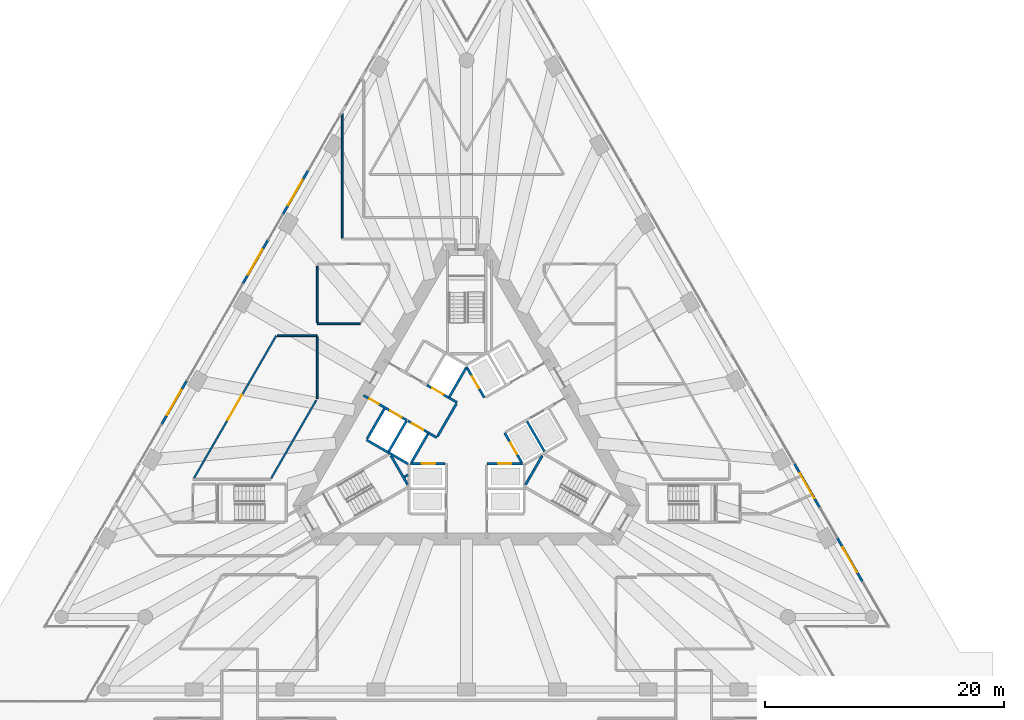
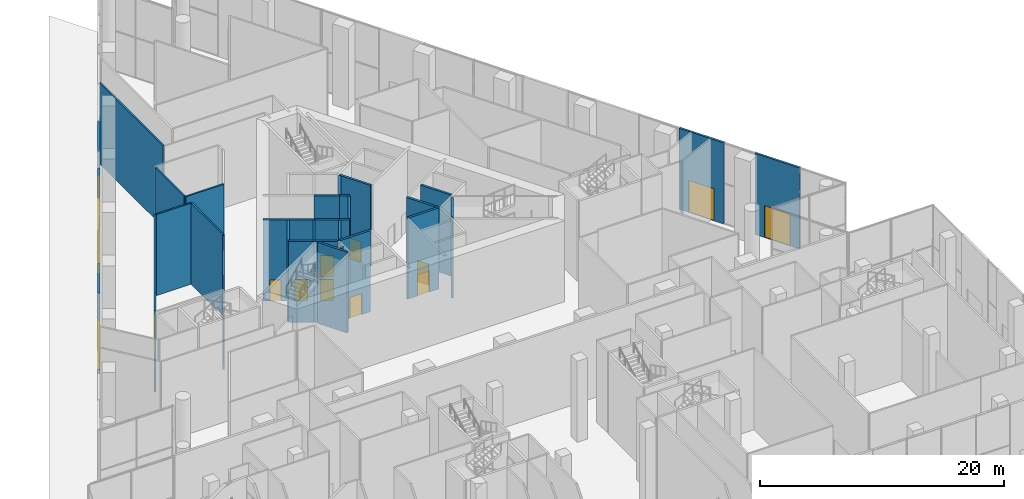
# One storey, part 25 of 41: 32 walls, 14 doors, 14 openings.
"""IFC4 building model written with IfcOpenShell, lengths in metres."""

from ifc_helpers import new_model, si_unit, direction, frame, frame_2d, origin, place, context, subcontext, project, spatial, rectangle, extrude, material, layer, layer_set, layer_usage, type_object, element, fill, save


model = new_model("IFC4")

# Units and contexts
model_context = context("Model", 3, precision=1e-05, world=origin(), true_north=direction((0.0, 1.0)))
body_context = subcontext(model_context, "Body", "Model", "MODEL_VIEW")
ifc_project = project(units=[si_unit("LENGTHUNIT", "METRE"), si_unit("AREAUNIT", "SQUARE_METRE"), si_unit("VOLUMEUNIT", "CUBIC_METRE"), si_unit("PLANEANGLEUNIT", "RADIAN"), si_unit("MASSUNIT", "GRAM", prefix="KILO")], contexts=[model_context])

# Site, building, storey
site_placement = place(None, origin())
site = spatial("IfcSite", under=ifc_project, at=site_placement, CompositionType="ELEMENT")
building_placement = place(site_placement, origin())
building = spatial("IfcBuilding", under=site, at=building_placement, Name="Triada Interchange Tower", CompositionType="ELEMENT")
storey_placement = place(building_placement, origin())
storey = spatial("IfcBuildingStorey", under=building, at=storey_placement, Name="L00", CompositionType="ELEMENT", Elevation=0.0)

# Walls
ifc_material_1 = material(Name="Concrete C30/37", Category="concrete")
ifc_layer_1 = layer(ifc_material_1, 0.199951171875)
ifc_layer_set_1 = layer_set([ifc_layer_1], Name="CORE WALL 200 EI 120")
wall_type_1 = type_object("IfcWallType", Name="CORE WALL 200 EI 120", PredefinedType="SOLIDWALL", material=ifc_layer_set_1)
wall_1_placement = place(storey_placement, frame((-8.3759765625, -0.70703125, 0.0), z_axis=(0.0, 0.0, 1.0), x_axis=(0.866067520717, -0.499927044236, 0.0)))
element("IfcWall", 1, at=wall_1_placement, inside=storey, type_object=wall_type_1, Name="Wall L00 145", PredefinedType="SOLIDWALL", context=body_context, shape_type="SweptSolid", body=[
    extrude(rectangle(XDim=2.100341796875, YDim=0.199951171875, at=frame_2d((1.05029296875, 0.0))), origin(), (0.0, 0.0, 1.0), 8.10009765625),
])
wall_2_placement = place(storey_placement, frame((-8.325927734375, -0.6201171875, 0.0), z_axis=(0.0, 0.0, 1.0), x_axis=(0.500023687443, 0.866011727401, 0.0)))
element("IfcWall", 2, at=wall_2_placement, inside=storey, type_object=wall_type_1, Name="Wall L00 146", PredefinedType="SOLIDWALL", context=body_context, shape_type="SweptSolid", body=[
    extrude(rectangle(XDim=2.899658203125, YDim=0.199951171875, at=frame_2d((1.44970703125, 0.0))), origin(), (0.0, 0.0, 1.0), 8.10009765625),
])

# Wall, opening, door
wall_3_placement = place(storey_placement, frame((-4.676025390625, -2.699951171875, 0.0), z_axis=(0.0, 0.0, 1.0), x_axis=(1.0, 0.0, 0.0)))
wall_3 = element("IfcWall", 3, at=wall_3_placement, inside=storey, type_object=wall_type_1, Name="Wall L00 153", PredefinedType="SOLIDWALL", context=body_context, shape_type="SweptSolid", body=[
    extrude(rectangle(XDim=2.873046875, YDim=0.199951171875, at=frame_2d((1.4365234375, 0.0))), origin(), (0.0, 0.0, 1.0), 8.10009765625),
])
opening_1_placement = place(wall_3_placement, frame((0.93701171875, 0.0, 0.0)))
opening_1 = element("IfcOpeningElement", 4, at=opening_1_placement, cuts=wall_3, Name="Opening LD-LR3", PredefinedType="OPENING", context=body_context, shape_type="SweptSolid", body=[
    extrude(rectangle(XDim=1.10009765625, YDim=2.10009765625, at=frame_2d((0.550048828125, 1.050048828125))), frame((0.0, 0.10986328125, 0.0), z_axis=(0.0, -1.0, 0.0), x_axis=(1.0, 0.0, 0.0)), (0.0, 0.0, 1.0), 0.219970703125),
])
ifc_material_2 = material(Name="Steel S235 door leaf", Category="steel")
door_type_1 = type_object("IfcDoorType", Name="LIFT LANDING DOOR 1100 EI 120", OperationType="SLIDING_TO_LEFT", PredefinedType="DOOR", material=ifc_material_2)
door_1_placement = place(opening_1_placement, origin())
door_1 = element("IfcDoor", 5, at=door_1_placement, inside=storey, type_object=door_type_1, Name="LR3 landing door L00", OperationType="SLIDING_TO_LEFT", OverallHeight=2.10009765625, OverallWidth=1.10009765625, PredefinedType="DOOR", context=body_context, shape_type="SweptSolid", body=[
    extrude(rectangle(XDim=1.10009765625, YDim=2.10009765625, at=frame_2d((0.550048828125, 1.050048828125))), frame((0.0, 0.02490234375, 0.0), z_axis=(0.0, -1.0, 0.0), x_axis=(1.0, 0.0, 0.0)), (0.0, 0.0, 1.0), 0.050048828125),
])
fill(opening_1, door_1)

wall_4_placement = place(storey_placement, frame((1.702880859375, -2.699951171875, 0.0), z_axis=(0.0, 0.0, 1.0), x_axis=(1.0, 0.0, 0.0)))
wall_4 = element("IfcWall", 6, at=wall_4_placement, inside=storey, type_object=wall_type_1, Name="Wall L00 154", PredefinedType="SOLIDWALL", context=body_context, shape_type="SweptSolid", body=[
    extrude(rectangle(XDim=2.97314453125, YDim=0.199951171875, at=frame_2d((1.486572265625, 0.0))), origin(), (0.0, 0.0, 1.0), 8.10009765625),
])
opening_2_placement = place(wall_4_placement, frame((0.93603515625, 0.0, 0.0)))
opening_2 = element("IfcOpeningElement", 7, at=opening_2_placement, cuts=wall_4, Name="Opening LD-LR1", PredefinedType="OPENING", context=body_context, shape_type="SweptSolid", body=[
    extrude(rectangle(XDim=1.10009765625, YDim=2.10009765625, at=frame_2d((0.550048828125, 1.050048828125))), frame((0.0, 0.10986328125, 0.0), z_axis=(0.0, -1.0, 0.0), x_axis=(1.0, 0.0, 0.0)), (0.0, 0.0, 1.0), 0.219970703125),
])
door_2_placement = place(opening_2_placement, origin())
door_2 = element("IfcDoor", 8, at=door_2_placement, inside=storey, type_object=door_type_1, Name="LR1 landing door L00", OperationType="SLIDING_TO_LEFT", OverallHeight=2.10009765625, OverallWidth=1.10009765625, PredefinedType="DOOR", context=body_context, shape_type="SweptSolid", body=[
    extrude(rectangle(XDim=1.10009765625, YDim=2.10009765625, at=frame_2d((0.550048828125, 1.050048828125))), frame((0.0, 0.02490234375, 0.0), z_axis=(0.0, -1.0, 0.0), x_axis=(1.0, 0.0, 0.0)), (0.0, 0.0, 1.0), 0.050048828125),
])
fill(opening_2, door_2)

wall_5_placement = place(storey_placement, frame((0.0, 5.39990234375, 0.0), z_axis=(0.0, 0.0, 1.0), x_axis=(0.500103862429, -0.865965430478, 0.0)))
wall_5 = element("IfcWall", 9, at=wall_5_placement, inside=storey, type_object=wall_type_1, Name="Wall L00 156", PredefinedType="SOLIDWALL", context=body_context, shape_type="SweptSolid", body=[
    extrude(rectangle(XDim=2.973388671875, YDim=0.199951171875, at=frame_2d((1.48681640625, 0.0))), origin(), (0.0, 0.0, 1.0), 8.10009765625),
])
opening_3_placement = place(wall_5_placement, frame((0.93701171875, 0.0, 0.0)))
opening_3 = element("IfcOpeningElement", 10, at=opening_3_placement, cuts=wall_5, Name="Opening LD-LR5", PredefinedType="OPENING", context=body_context, shape_type="SweptSolid", body=[
    extrude(rectangle(XDim=1.10009765625, YDim=2.10009765625, at=frame_2d((0.550048828125, 1.050048828125))), frame((0.0, 0.10986328125, 0.0), z_axis=(0.0, -1.0, 0.0), x_axis=(1.0, 0.0, 0.0)), (0.0, 0.0, 1.0), 0.219970703125),
])
door_3_placement = place(opening_3_placement, origin())
door_3 = element("IfcDoor", 11, at=door_3_placement, inside=storey, type_object=door_type_1, Name="LR5 landing door L00", OperationType="SLIDING_TO_LEFT", OverallHeight=2.10009765625, OverallWidth=1.10009765625, PredefinedType="DOOR", context=body_context, shape_type="SweptSolid", body=[
    extrude(rectangle(XDim=1.10009765625, YDim=2.10009765625, at=frame_2d((0.550048828125, 1.050048828125))), frame((0.0, 0.02490234375, 0.0), z_axis=(0.0, -1.0, 0.0), x_axis=(1.0, 0.0, 0.0)), (0.0, 0.0, 1.0), 0.050048828125),
])
fill(opening_3, door_3)

wall_6_placement = place(storey_placement, frame((3.18994140625, -0.125, 0.0), z_axis=(0.0, 0.0, 1.0), x_axis=(0.499988658015, -0.866031951983, 0.0)))
wall_6 = element("IfcWall", 12, at=wall_6_placement, inside=storey, type_object=wall_type_1, Name="Wall L00 157", PredefinedType="SOLIDWALL", context=body_context, shape_type="SweptSolid", body=[
    extrude(rectangle(XDim=2.85791015625, YDim=0.199951171875, at=frame_2d((1.428955078125, 0.0))), origin(), (0.0, 0.0, 1.0), 8.10009765625),
])
opening_4_placement = place(wall_6_placement, frame((0.93603515625, 0.0, 0.0)))
opening_4 = element("IfcOpeningElement", 13, at=opening_4_placement, cuts=wall_6, Name="Opening LD-SH1", PredefinedType="OPENING", context=body_context, shape_type="SweptSolid", body=[
    extrude(rectangle(XDim=1.10009765625, YDim=2.10009765625, at=frame_2d((0.550048828125, 1.050048828125))), frame((0.0, 0.10986328125, 0.0), z_axis=(0.0, -1.0, 0.0), x_axis=(1.0, 0.0, 0.0)), (0.0, 0.0, 1.0), 0.219970703125),
])
door_4_placement = place(opening_4_placement, origin())
door_4 = element("IfcDoor", 14, at=door_4_placement, inside=storey, type_object=door_type_1, Name="SH1 landing door L00", OperationType="SLIDING_TO_LEFT", OverallHeight=2.10009765625, OverallWidth=1.10009765625, PredefinedType="DOOR", context=body_context, shape_type="SweptSolid", body=[
    extrude(rectangle(XDim=1.10009765625, YDim=2.10009765625, at=frame_2d((0.550048828125, 1.050048828125))), frame((0.0, 0.02490234375, 0.0), z_axis=(0.0, -1.0, 0.0), x_axis=(1.0, 0.0, 0.0)), (0.0, 0.0, 1.0), 0.050048828125),
])
fill(opening_4, door_4)

# Wall
wall_7_placement = place(storey_placement, frame((5.056884765625, 0.841064453125, 0.0), z_axis=(0.0, 0.0, 1.0), x_axis=(0.50012328804, -0.865954211699, 0.0)))
element("IfcWall", 15, at=wall_7_placement, inside=storey, type_object=wall_type_1, Name="Wall L00 162", PredefinedType="SOLIDWALL", context=body_context, shape_type="SweptSolid", body=[
    extrude(rectangle(XDim=2.899658203125, YDim=0.199951171875, at=frame_2d((1.44970703125, 0.0))), origin(), (0.0, 0.0, 1.0), 8.10009765625),
])

# Wall, openings, doors
ifc_layer_2 = layer(ifc_material_1, 0.199951171875)
ifc_layer_set_2 = layer_set([ifc_layer_2], Name="CORE WALL 200 EI 180")
wall_type_2 = type_object("IfcWallType", Name="CORE WALL 200 EI 180", PredefinedType="SOLIDWALL", material=ifc_layer_set_2)
wall_8_placement = place(storey_placement, frame((-8.626953125, 3.01806640625, 0.0), z_axis=(0.0, 0.0, 1.0), x_axis=(0.866039775641, -0.499975106388, 0.0)))
wall_8 = element("IfcWall", 16, at=wall_8_placement, inside=storey, type_object=wall_type_2, Name="Wall L00 167", PredefinedType="SOLIDWALL", context=body_context, shape_type="SweptSolid", body=[
    extrude(rectangle(XDim=4.182373046875, YDim=0.199951171875, at=frame_2d((2.09130859375, 0.0))), origin(), (0.0, 0.0, 1.0), 8.10009765625),
])
opening_5_placement = place(wall_8_placement, frame((2.580078125, 0.0, 0.0)))
opening_5 = element("IfcOpeningElement", 17, at=opening_5_placement, cuts=wall_8, Name="Opening LD-SV1", PredefinedType="OPENING", context=body_context, shape_type="SweptSolid", body=[
    extrude(rectangle(XDim=1.10009765625, YDim=2.10009765625, at=frame_2d((0.550048828125, 1.050048828125))), frame((0.0, 0.10986328125, 0.0), z_axis=(0.0, -1.0, 0.0), x_axis=(1.0, 0.0, 0.0)), (0.0, 0.0, 1.0), 0.219970703125),
])
opening_6_placement = place(wall_8_placement, frame((0.580078125, 0.0, 0.0)))
opening_6 = element("IfcOpeningElement", 18, at=opening_6_placement, cuts=wall_8, Name="Opening D00-57", PredefinedType="OPENING", context=body_context, shape_type="SweptSolid", body=[
    extrude(rectangle(XDim=0.89990234375, YDim=2.10009765625, at=frame_2d((0.449951171875, 1.050048828125))), frame((0.0, 0.10986328125, 0.0), z_axis=(0.0, -1.0, 0.0), x_axis=(1.0, 0.0, 0.0)), (0.0, 0.0, 1.0), 0.219970703125),
])
door_5_placement = place(opening_5_placement, origin())
door_5 = element("IfcDoor", 19, at=door_5_placement, inside=storey, type_object=door_type_1, Name="SV1 landing door L00", OperationType="SLIDING_TO_LEFT", OverallHeight=2.10009765625, OverallWidth=1.10009765625, PredefinedType="DOOR", context=body_context, shape_type="SweptSolid", body=[
    extrude(rectangle(XDim=1.10009765625, YDim=2.10009765625, at=frame_2d((0.550048828125, 1.050048828125))), frame((0.0, 0.02490234375, 0.0), z_axis=(0.0, -1.0, 0.0), x_axis=(1.0, 0.0, 0.0)), (0.0, 0.0, 1.0), 0.050048828125),
])
fill(opening_5, door_5)
door_type_2 = type_object("IfcDoorType", Name="SERVICE DOOR 900 EI2 45-C5S200", OperationType="NOTDEFINED", PredefinedType="DOOR", material=ifc_material_2)
door_6_placement = place(opening_6_placement, origin())
door_6 = element("IfcDoor", 20, at=door_6_placement, inside=storey, type_object=door_type_2, Name="Door D00-57 L00", OperationType="SINGLE_SWING_LEFT", OverallHeight=2.10009765625, OverallWidth=0.89990234375, PredefinedType="DOOR", context=body_context, shape_type="SweptSolid", body=[
    extrude(rectangle(XDim=0.89990234375, YDim=2.10009765625, at=frame_2d((0.449951171875, 1.050048828125))), frame((0.0, 0.02490234375, 0.0), z_axis=(0.0, -1.0, 0.0), x_axis=(1.0, 0.0, 0.0)), (0.0, 0.0, 1.0), 0.050048828125),
])
fill(opening_6, door_6)

# Walls
wall_9_placement = place(storey_placement, frame((-3.18798828125, -0.1220703125, 0.0), z_axis=(0.0, 0.0, 1.0), x_axis=(0.865705793592, -0.50055317294, 0.0)))
element("IfcWall", 21, at=wall_9_placement, inside=storey, type_object=wall_type_2, Name="Wall L00 168", PredefinedType="SOLIDWALL", context=body_context, shape_type="SweptSolid", body=[
    extrude(rectangle(XDim=0.796875, YDim=0.199951171875, at=frame_2d((0.3984375, 0.0))), origin(), (0.0, 0.0, 1.0), 8.10009765625),
])
wall_10_placement = place(storey_placement, frame((-1.488037109375, 2.822021484375, 0.0), z_axis=(0.0, 0.0, 1.0), x_axis=(0.866236612152, -0.499633997809, 0.0)))
element("IfcWall", 22, at=wall_10_placement, inside=storey, type_object=wall_type_2, Name="Wall L00 170", PredefinedType="SOLIDWALL", context=body_context, shape_type="SweptSolid", body=[
    extrude(rectangle(XDim=0.79638671875, YDim=0.199951171875, at=frame_2d((0.398193359375, 0.0))), origin(), (0.0, 0.0, 1.0), 8.10009765625),
])
wall_11_placement = place(storey_placement, frame((-2.444091796875, -0.43310546875, 0.0), z_axis=(0.0, 0.0, 1.0), x_axis=(0.500035624827, 0.866004834804, 0.0)))
element("IfcWall", 23, at=wall_11_placement, inside=storey, type_object=wall_type_2, Name="Wall L00 173", PredefinedType="SOLIDWALL", context=body_context, shape_type="SweptSolid", body=[
    extrude(rectangle(XDim=3.194091796875, YDim=0.199951171875, at=frame_2d((1.59716796875, 0.0))), origin(), (0.0, 0.0, 1.0), 8.10009765625),
])
wall_12_placement = place(storey_placement, frame((-6.556884765625, -1.757080078125, 0.0), z_axis=(0.0, 0.0, 1.0), x_axis=(0.8659754619, -0.500086491905, 0.0)))
element("IfcWall", 24, at=wall_12_placement, inside=storey, type_object=wall_type_2, Name="Shaft wall FF1 L00 174", PredefinedType="SOLIDWALL", context=body_context, shape_type="SweptSolid", body=[
    extrude(rectangle(XDim=1.915771484375, YDim=0.199951171875, at=frame_2d((0.9580078125, 0.0))), origin(), (0.0, 0.0, 1.0), 8.10009765625),
])
wall_13_placement = place(storey_placement, frame((-6.507080078125, -1.669921875, 0.0), z_axis=(0.0, 0.0, 1.0), x_axis=(0.50012328804, 0.865954211699, 0.0)))
element("IfcWall", 25, at=wall_13_placement, inside=storey, type_object=wall_type_2, Name="Shaft wall FF1 L00 175", PredefinedType="SOLIDWALL", context=body_context, shape_type="SweptSolid", body=[
    extrude(rectangle(XDim=2.899658203125, YDim=0.199951171875, at=frame_2d((1.44970703125, 0.0))), origin(), (0.0, 0.0, 1.0), 8.10009765625),
])

# Wall, opening, door
wall_14_placement = place(storey_placement, frame((-4.919921875, 0.8779296875, 0.0), z_axis=(0.0, 0.0, 1.0), x_axis=(0.866010750942, -0.50002537861, 0.0)))
wall_14 = element("IfcWall", 26, at=wall_14_placement, inside=storey, type_object=wall_type_2, Name="Shaft wall FF1 L00 176", PredefinedType="SOLIDWALL", context=body_context, shape_type="SweptSolid", body=[
    extrude(rectangle(XDim=2.0, YDim=0.199951171875, at=frame_2d((1.0, 0.0))), origin(), (0.0, 0.0, 1.0), 8.10009765625),
])
opening_7_placement = place(wall_14_placement, frame((0.39990234375, 0.0, 0.0)))
opening_7 = element("IfcOpeningElement", 27, at=opening_7_placement, cuts=wall_14, Name="Opening LD-FF1", PredefinedType="OPENING", context=body_context, shape_type="SweptSolid", body=[
    extrude(rectangle(XDim=1.10009765625, YDim=2.10009765625, at=frame_2d((0.550048828125, 1.050048828125))), frame((0.0, 0.10986328125, 0.0), z_axis=(0.0, -1.0, 0.0), x_axis=(1.0, 0.0, 0.0)), (0.0, 0.0, 1.0), 0.219970703125),
])
door_7_placement = place(opening_7_placement, origin())
door_7 = element("IfcDoor", 28, at=door_7_placement, inside=storey, type_object=door_type_1, Name="FF1 landing door L00", OperationType="SLIDING_TO_LEFT", OverallHeight=2.10009765625, OverallWidth=1.10009765625, PredefinedType="DOOR", context=body_context, shape_type="SweptSolid", body=[
    extrude(rectangle(XDim=1.10009765625, YDim=2.10009765625, at=frame_2d((0.550048828125, 1.050048828125))), frame((0.0, 0.02490234375, 0.0), z_axis=(0.0, -1.0, 0.0), x_axis=(1.0, 0.0, 0.0)), (0.0, 0.0, 1.0), 0.050048828125),
])
fill(opening_7, door_7)

# Wall
wall_15_placement = place(storey_placement, frame((-4.618896484375, -2.60009765625, 0.0), z_axis=(0.0, 0.0, 1.0), x_axis=(0.50009492287, 0.865970593103, 0.0)))
element("IfcWall", 29, at=wall_15_placement, inside=storey, type_object=wall_type_2, Name="Shaft wall FF1 L00 177", PredefinedType="SOLIDWALL", context=body_context, shape_type="SweptSolid", body=[
    extrude(rectangle(XDim=2.76123046875, YDim=0.199951171875, at=frame_2d((1.380615234375, 0.0))), origin(), (0.0, 0.0, 1.0), 8.10009765625),
])

# Wall, opening, door
wall_16_placement = place(storey_placement, frame((-3.30908203125, 3.873046875, 0.0), z_axis=(0.0, 0.0, 1.0), x_axis=(0.866098583652, -0.499873227325, 0.0)))
wall_16 = element("IfcWall", 30, at=wall_16_placement, inside=storey, type_object=wall_type_2, Name="Shaft wall FF2 L00 178", PredefinedType="SOLIDWALL", context=body_context, shape_type="SweptSolid", body=[
    extrude(rectangle(XDim=2.1025390625, YDim=0.199951171875, at=frame_2d((1.05126953125, 0.0))), origin(), (0.0, 0.0, 1.0), 8.10009765625),
])
opening_8_placement = place(wall_16_placement, frame((0.501953125, 0.0, 0.0)))
opening_8 = element("IfcOpeningElement", 31, at=opening_8_placement, cuts=wall_16, Name="Opening LD-FF2", PredefinedType="OPENING", context=body_context, shape_type="SweptSolid", body=[
    extrude(rectangle(XDim=1.10009765625, YDim=2.10009765625, at=frame_2d((0.550048828125, 1.050048828125))), frame((0.0, 0.10986328125, 0.0), z_axis=(0.0, -1.0, 0.0), x_axis=(1.0, 0.0, 0.0)), (0.0, 0.0, 1.0), 0.219970703125),
])
door_8_placement = place(opening_8_placement, origin())
door_8 = element("IfcDoor", 32, at=door_8_placement, inside=storey, type_object=door_type_1, Name="FF2 landing door L00", OperationType="SLIDING_TO_LEFT", OverallHeight=2.10009765625, OverallWidth=1.10009765625, PredefinedType="DOOR", context=body_context, shape_type="SweptSolid", body=[
    extrude(rectangle(XDim=1.10009765625, YDim=2.10009765625, at=frame_2d((0.550048828125, 1.050048828125))), frame((0.0, 0.02490234375, 0.0), z_axis=(0.0, -1.0, 0.0), x_axis=(1.0, 0.0, 0.0)), (0.0, 0.0, 1.0), 0.050048828125),
])
fill(opening_8, door_8)

# Walls
wall_17_placement = place(storey_placement, frame((-1.43798828125, 2.908935546875, 0.0), z_axis=(0.0, 0.0, 1.0), x_axis=(0.499829630636, 0.866123744241, 0.0)))
element("IfcWall", 33, at=wall_17_placement, inside=storey, type_object=wall_type_2, Name="Shaft wall FF2 L00 181", PredefinedType="SOLIDWALL", context=body_context, shape_type="SweptSolid", body=[
    extrude(rectangle(XDim=2.7607421875, YDim=0.199951171875, at=frame_2d((1.38037109375, 0.0))), origin(), (0.0, 0.0, 1.0), 8.10009765625),
])
ifc_layer_3 = layer(ifc_material_1, 0.199951171875)
ifc_layer_set_3 = layer_set([ifc_layer_3], Name="CORE WALL 200 EI 90")
wall_type_3 = type_object("IfcWallType", Name="CORE WALL 200 EI 90", PredefinedType="SOLIDWALL", material=ifc_layer_set_3)
wall_18_placement = place(storey_placement, frame((-5.195068359375, -3.801025390625, 0.0), z_axis=(0.0, 0.0, 1.0), x_axis=(0.86665063443, 0.498915501706, 0.0)))
element("IfcWall", 34, at=wall_18_placement, inside=storey, type_object=wall_type_3, Name="Wall L00 182", PredefinedType="SOLIDWALL", context=body_context, shape_type="SweptSolid", body=[
    extrude(rectangle(XDim=0.340576171875, YDim=0.199951171875, at=frame_2d((0.17041015625, 0.0))), origin(), (0.0, 0.0, 1.0), 8.10009765625),
])
ifc_layer_4 = layer(ifc_material_1, 0.199951171875)
ifc_layer_set_4 = layer_set([ifc_layer_4], Name="CORE WALL 200 REI 240")
wall_type_4 = type_object("IfcWallType", Name="CORE WALL 200 REI 240", PredefinedType="SOLIDWALL", material=ifc_layer_set_4)
for number, where, z_axis, x_axis, name in (
    (35, (-6.3291015625, -2.0380859375, 0.0), (0.0, 0.0, 1.0), (0.500200581029, -0.865909567298, 0.0), "Wall L00 185"),
    (36, (4.928955078125, -4.4619140625, 0.0), (0.0, 0.0, 1.0), (0.500200581029, 0.865909567298, 0.0), "Wall L00 190"),
):
    element("IfcWall", number, at=place(storey_placement, frame(where, z_axis=z_axis, x_axis=x_axis)), inside=storey, type_object=wall_type_4, Name=name, PredefinedType="SOLIDWALL", context=body_context, shape_type="SweptSolid", body=[
        extrude(rectangle(XDim=2.799072265625, YDim=0.199951171875, at=frame_2d((1.3994140625, 0.0))), origin(), (0.0, 0.0, 1.0), 8.10009765625),
    ])

# Wall, opening, door
ifc_material_3 = material(Name="Cement board")
ifc_layer_5 = layer(ifc_material_3, 0.02001953125, Name="Cement board cladding")
ifc_material_4 = material(Name="Sheathing board")
ifc_layer_6 = layer(ifc_material_4, 0.014892578125, Name="Sheathing board")
ifc_material_5 = material(Name="Mineral wool")
ifc_layer_7 = layer(ifc_material_5, 0.14990234375, Name="Mineral wool between steel studs")
ifc_material_6 = material(Name="Gypsum board")
ifc_layer_8 = layer(ifc_material_6, 0.014892578125, Name="Plasterboard lining")
ifc_layer_set_5 = layer_set([ifc_layer_5, ifc_layer_6, ifc_layer_7, ifc_layer_8], Name="External wall 200")
ifc_layer_usage = layer_usage(ifc_layer_set_5, "AXIS2", "POSITIVE", -0.10009765625)
wall_type_5 = type_object("IfcWallType", Name="External wall 200", PredefinedType="ELEMENTEDWALL", material=ifc_layer_set_5)
wall_19_placement = place(storey_placement, frame((33.117919921875, -12.56103515625, 0.0), z_axis=(0.0, 0.0, 1.0), x_axis=(-0.500009288593, 0.866020040946, 0.0)))
wall_19 = element("IfcWall", 37, at=wall_19_placement, inside=storey, type_object=wall_type_5, material=ifc_layer_usage, Name="External wall L00 05.1", PredefinedType="ELEMENTEDWALL", context=body_context, shape_type="SweptSolid", body=[
    extrude(rectangle(XDim=4.19970703125, YDim=0.199951171875, at=frame_2d((2.099853515625, 0.0))), origin(), (0.0, 0.0, 1.0), 8.10009765625),
])
opening_9_placement = place(wall_19_placement, frame((0.89990234375, 0.0, 0.0)))
opening_9 = element("IfcOpeningElement", 38, at=opening_9_placement, cuts=wall_19, Name="Opening DX10", PredefinedType="OPENING", context=body_context, shape_type="SweptSolid", body=[
    extrude(rectangle(XDim=2.39990234375, YDim=3.199951171875, at=frame_2d((1.199951171875, 1.60009765625))), frame((0.0, 0.10986328125, 0.0), z_axis=(0.0, -1.0, 0.0), x_axis=(1.0, 0.0, 0.0)), (0.0, 0.0, 1.0), 0.219970703125),
])
ifc_material_7 = material(Name="Aluminium and glass", Category="aluminium")
door_type_3 = type_object("IfcDoorType", Name="Entrance door double", OperationType="DOUBLE_DOOR_SINGLE_SWING", PredefinedType="DOOR", material=ifc_material_7)
door_9_placement = place(opening_9_placement, frame((2.39990234375, 0.0, 0.0), z_axis=(0.0, 0.0, 1.0), x_axis=(-1.0, 0.0, 0.0)))
door_9 = element("IfcDoor", 39, at=door_9_placement, inside=storey, type_object=door_type_3, Name="Door DX10 L00", OperationType="DOUBLE_DOOR_SINGLE_SWING", OverallHeight=3.199951171875, OverallWidth=2.39990234375, PredefinedType="DOOR", context=body_context, shape_type="SweptSolid", body=[
    extrude(rectangle(XDim=2.39990234375, YDim=3.199951171875, at=frame_2d((1.199951171875, 1.60009765625))), frame((0.0, 0.02490234375, 0.0), z_axis=(0.0, -1.0, 0.0), x_axis=(1.0, 0.0, 0.0)), (0.0, 0.0, 1.0), 0.050048828125),
])
fill(opening_9, door_9)

wall_20_placement = place(storey_placement, frame((29.541015625, -6.365966796875, 0.0), z_axis=(0.0, 0.0, 1.0), x_axis=(-0.499952208475, 0.866052994476, 0.0)))
wall_20 = element("IfcWall", 40, at=wall_20_placement, inside=storey, type_object=wall_type_5, material=ifc_layer_usage, Name="External wall L00 05.3", PredefinedType="ELEMENTEDWALL", context=body_context, shape_type="SweptSolid", body=[
    extrude(rectangle(XDim=4.20068359375, YDim=0.199951171875, at=frame_2d((2.100341796875, 0.0))), origin(), (0.0, 0.0, 1.0), 8.10009765625),
])
opening_10_placement = place(wall_20_placement, frame((0.89990234375, 0.0, 0.0)))
opening_10 = element("IfcOpeningElement", 41, at=opening_10_placement, cuts=wall_20, Name="Opening DX23", PredefinedType="OPENING", context=body_context, shape_type="SweptSolid", body=[
    extrude(rectangle(XDim=2.39990234375, YDim=3.199951171875, at=frame_2d((1.199951171875, 1.60009765625))), frame((0.0, 0.10986328125, 0.0), z_axis=(0.0, -1.0, 0.0), x_axis=(1.0, 0.0, 0.0)), (0.0, 0.0, 1.0), 0.219970703125),
])
door_10_placement = place(opening_10_placement, frame((2.39990234375, 0.0, 0.0), z_axis=(0.0, 0.0, 1.0), x_axis=(-1.0, 0.0, 0.0)))
door_10 = element("IfcDoor", 42, at=door_10_placement, inside=storey, type_object=door_type_3, Name="Door DX23 L00", OperationType="DOUBLE_DOOR_SINGLE_SWING", OverallHeight=3.199951171875, OverallWidth=2.39990234375, PredefinedType="DOOR", context=body_context, shape_type="SweptSolid", body=[
    extrude(rectangle(XDim=2.39990234375, YDim=3.199951171875, at=frame_2d((1.199951171875, 1.60009765625))), frame((0.0, 0.02490234375, 0.0), z_axis=(0.0, -1.0, 0.0), x_axis=(1.0, 0.0, 0.0)), (0.0, 0.0, 1.0), 0.050048828125),
])
fill(opening_10, door_10)

wall_21_placement = place(storey_placement, frame((-13.27587890625, 21.804931640625, 0.0), z_axis=(0.0, 0.0, 1.0), x_axis=(-0.499952208475, -0.866052994476, 0.0)))
wall_21 = element("IfcWall", 43, at=wall_21_placement, inside=storey, type_object=wall_type_5, material=ifc_layer_usage, Name="External wall L00 08.5", PredefinedType="ELEMENTEDWALL", context=body_context, shape_type="SweptSolid", body=[
    extrude(rectangle(XDim=4.20068359375, YDim=0.199951171875, at=frame_2d((2.100341796875, 0.0))), origin(), (0.0, 0.0, 1.0), 8.10009765625),
])
opening_11_placement = place(wall_21_placement, frame((0.89990234375, 0.0, 0.0)))
opening_11 = element("IfcOpeningElement", 44, at=opening_11_placement, cuts=wall_21, Name="Opening DX15", PredefinedType="OPENING", context=body_context, shape_type="SweptSolid", body=[
    extrude(rectangle(XDim=2.39990234375, YDim=3.199951171875, at=frame_2d((1.199951171875, 1.60009765625))), frame((0.0, 0.10986328125, 0.0), z_axis=(0.0, -1.0, 0.0), x_axis=(1.0, 0.0, 0.0)), (0.0, 0.0, 1.0), 0.219970703125),
])
door_11_placement = place(opening_11_placement, frame((2.39990234375, 0.0, 0.0), z_axis=(0.0, 0.0, 1.0), x_axis=(-1.0, 0.0, 0.0)))
door_11 = element("IfcDoor", 45, at=door_11_placement, inside=storey, type_object=door_type_3, Name="Door DX15 L00", OperationType="DOUBLE_DOOR_SINGLE_SWING", OverallHeight=3.199951171875, OverallWidth=2.39990234375, PredefinedType="DOOR", context=body_context, shape_type="SweptSolid", body=[
    extrude(rectangle(XDim=2.39990234375, YDim=3.199951171875, at=frame_2d((1.199951171875, 1.60009765625))), frame((0.0, 0.02490234375, 0.0), z_axis=(0.0, -1.0, 0.0), x_axis=(1.0, 0.0, 0.0)), (0.0, 0.0, 1.0), 0.050048828125),
])
fill(opening_11, door_11)

wall_22_placement = place(storey_placement, frame((-16.632080078125, 15.991943359375, 0.0), z_axis=(0.0, 0.0, 1.0), x_axis=(-0.500009288593, -0.866020040946, 0.0)))
wall_22 = element("IfcWall", 46, at=wall_22_placement, inside=storey, type_object=wall_type_5, material=ifc_layer_usage, Name="External wall L00 08.7", PredefinedType="ELEMENTEDWALL", context=body_context, shape_type="SweptSolid", body=[
    extrude(rectangle(XDim=4.19970703125, YDim=0.199951171875, at=frame_2d((2.099853515625, 0.0))), origin(), (0.0, 0.0, 1.0), 8.10009765625),
])
opening_12_placement = place(wall_22_placement, frame((0.89990234375, 0.0, 0.0)))
opening_12 = element("IfcOpeningElement", 47, at=opening_12_placement, cuts=wall_22, Name="Opening DX26", PredefinedType="OPENING", context=body_context, shape_type="SweptSolid", body=[
    extrude(rectangle(XDim=2.39990234375, YDim=3.199951171875, at=frame_2d((1.199951171875, 1.60009765625))), frame((0.0, 0.10986328125, 0.0), z_axis=(0.0, -1.0, 0.0), x_axis=(1.0, 0.0, 0.0)), (0.0, 0.0, 1.0), 0.219970703125),
])
door_12_placement = place(opening_12_placement, frame((2.39990234375, 0.0, 0.0), z_axis=(0.0, 0.0, 1.0), x_axis=(-1.0, 0.0, 0.0)))
door_12 = element("IfcDoor", 48, at=door_12_placement, inside=storey, type_object=door_type_3, Name="Door DX26 L00", OperationType="DOUBLE_DOOR_SINGLE_SWING", OverallHeight=3.199951171875, OverallWidth=2.39990234375, PredefinedType="DOOR", context=body_context, shape_type="SweptSolid", body=[
    extrude(rectangle(XDim=2.39990234375, YDim=3.199951171875, at=frame_2d((1.199951171875, 1.60009765625))), frame((0.0, 0.02490234375, 0.0), z_axis=(0.0, -1.0, 0.0), x_axis=(1.0, 0.0, 0.0)), (0.0, 0.0, 1.0), 0.050048828125),
])
fill(opening_12, door_12)

wall_23_placement = place(storey_placement, frame((-23.422119140625, 4.23193359375, 0.0), z_axis=(0.0, 0.0, 1.0), x_axis=(-0.500009288593, -0.866020040946, 0.0)))
wall_23 = element("IfcWall", 49, at=wall_23_placement, inside=storey, type_object=wall_type_5, material=ifc_layer_usage, Name="External wall L00 08.9", PredefinedType="ELEMENTEDWALL", context=body_context, shape_type="SweptSolid", body=[
    extrude(rectangle(XDim=4.19970703125, YDim=0.199951171875, at=frame_2d((2.099853515625, 0.0))), origin(), (0.0, 0.0, 1.0), 8.10009765625),
])
opening_13_placement = place(wall_23_placement, frame((0.89990234375, 0.0, 0.0)))
opening_13 = element("IfcOpeningElement", 50, at=opening_13_placement, cuts=wall_23, Name="Opening DX16", PredefinedType="OPENING", context=body_context, shape_type="SweptSolid", body=[
    extrude(rectangle(XDim=2.39990234375, YDim=3.199951171875, at=frame_2d((1.199951171875, 1.60009765625))), frame((0.0, 0.10986328125, 0.0), z_axis=(0.0, -1.0, 0.0), x_axis=(1.0, 0.0, 0.0)), (0.0, 0.0, 1.0), 0.219970703125),
])
door_13_placement = place(opening_13_placement, frame((2.39990234375, 0.0, 0.0), z_axis=(0.0, 0.0, 1.0), x_axis=(-1.0, 0.0, 0.0)))
door_13 = element("IfcDoor", 51, at=door_13_placement, inside=storey, type_object=door_type_3, Name="Door DX16 L00", OperationType="DOUBLE_DOOR_SINGLE_SWING", OverallHeight=3.199951171875, OverallWidth=2.39990234375, PredefinedType="DOOR", context=body_context, shape_type="SweptSolid", body=[
    extrude(rectangle(XDim=2.39990234375, YDim=3.199951171875, at=frame_2d((1.199951171875, 1.60009765625))), frame((0.0, 0.02490234375, 0.0), z_axis=(0.0, -1.0, 0.0), x_axis=(1.0, 0.0, 0.0)), (0.0, 0.0, 1.0), 0.050048828125),
])
fill(opening_13, door_13)

# Walls
ifc_material_8 = material(Name="Gypsum board partition")
ifc_layer_9 = layer(ifc_material_8, 0.14990234375)
ifc_layer_set_6 = layer_set([ifc_layer_9], Name="PARTITION 150 EI 180")
wall_type_6 = type_object("IfcWallType", Name="PARTITION 150 EI 180", PredefinedType="PARTITIONING", material=ifc_layer_set_6)
wall_24_placement = place(storey_placement, frame((-10.39990234375, 16.175048828125, 0.0), z_axis=(0.0, 0.0, 1.0), x_axis=(0.0, 1.0, 0.0)))
element("IfcWall", 52, at=wall_24_placement, inside=storey, type_object=wall_type_6, Name="Wall L00 18", PredefinedType="PARTITIONING", context=body_context, shape_type="SweptSolid", body=[
    extrude(rectangle(XDim=10.410888671875, YDim=0.14990234375, at=frame_2d((5.20556640625, 0.0))), origin(), (0.0, 0.0, 1.0), 8.10009765625),
])
ifc_layer_10 = layer(ifc_material_8, 0.14990234375)
ifc_layer_set_7 = layer_set([ifc_layer_10], Name="PARTITION 150 EI 90")
wall_type_7 = type_object("IfcWallType", Name="PARTITION 150 EI 90", PredefinedType="PARTITIONING", material=ifc_layer_set_7)
wall_25_placement = place(storey_placement, frame((-12.5, 9.0, 0.0), z_axis=(0.0, 0.0, 1.0), x_axis=(1.0, 0.0, 0.0)))
element("IfcWall", 53, at=wall_25_placement, inside=storey, type_object=wall_type_7, Name="Wall L00 108", PredefinedType="PARTITIONING", context=body_context, shape_type="SweptSolid", body=[
    extrude(rectangle(XDim=3.60888671875, YDim=0.14990234375, at=frame_2d((1.804443359375, 0.0))), origin(), (0.0, 0.0, 1.0), 8.10009765625),
])

# Wall, opening, door
wall_26_placement = place(storey_placement, frame((-22.820068359375, -3.925048828125, 0.0), z_axis=(0.0, 0.0, 1.0), x_axis=(0.500004336333, 0.866022900187, 0.0)))
wall_26 = element("IfcWall", 54, at=wall_26_placement, inside=storey, type_object=wall_type_7, Name="Wall L00 126", PredefinedType="PARTITIONING", context=body_context, shape_type="SweptSolid", body=[
    extrude(rectangle(XDim=13.77001953125, YDim=0.14990234375, at=frame_2d((6.885009765625, 0.0))), origin(), (0.0, 0.0, 1.0), 8.10009765625),
])
opening_14_placement = place(wall_26_placement, frame((5.64208984375, 0.0, 0.0)))
opening_14 = element("IfcOpeningElement", 55, at=opening_14_placement, cuts=wall_26, Name="Opening D00-46", PredefinedType="OPENING", context=body_context, shape_type="SweptSolid", body=[
    extrude(rectangle(XDim=2.39990234375, YDim=2.10009765625, at=frame_2d((1.199951171875, 1.050048828125))), frame((0.0, 0.0849609375, 0.0), z_axis=(0.0, -1.0, 0.0), x_axis=(1.0, 0.0, 0.0)), (0.0, 0.0, 1.0), 0.169921875),
])
door_type_4 = type_object("IfcDoorType", Name="SHOP AND HALL ENTRANCE DOOR 2400 EI2 45-C5S200", OperationType="DOUBLE_DOOR_SINGLE_SWING", PredefinedType="DOOR", material=ifc_material_2)
door_14_placement = place(opening_14_placement, origin())
door_14 = element("IfcDoor", 56, at=door_14_placement, inside=storey, type_object=door_type_4, Name="Door D00-46 L00", OperationType="DOUBLE_DOOR_SINGLE_SWING", OverallHeight=2.10009765625, OverallWidth=2.39990234375, PredefinedType="DOOR", context=body_context, shape_type="SweptSolid", body=[
    extrude(rectangle(XDim=2.39990234375, YDim=2.10009765625, at=frame_2d((1.199951171875, 1.050048828125))), frame((0.0, 0.02490234375, 0.0), z_axis=(0.0, -1.0, 0.0), x_axis=(1.0, 0.0, 0.0)), (0.0, 0.0, 1.0), 0.050048828125),
])
fill(opening_14, door_14)

# Walls
wall_27_placement = place(storey_placement, frame((-15.847900390625, 8.0, 0.0), z_axis=(0.0, 0.0, 1.0), x_axis=(1.0, 0.0, 0.0)))
element("IfcWall", 57, at=wall_27_placement, inside=storey, type_object=wall_type_7, Name="Wall L00 128", PredefinedType="PARTITIONING", context=body_context, shape_type="SweptSolid", body=[
    extrude(rectangle(XDim=3.347900390625, YDim=0.14990234375, at=frame_2d((1.673828125, 0.0))), origin(), (0.0, 0.0, 1.0), 8.10009765625),
])
wall_28_placement = place(storey_placement, frame((-12.5, 2.7490234375, 0.0), z_axis=(0.0, 0.0, 1.0), x_axis=(0.0, 1.0, 0.0)))
element("IfcWall", 58, at=wall_28_placement, inside=storey, type_object=wall_type_7, Name="Wall L00 130", PredefinedType="PARTITIONING", context=body_context, shape_type="SweptSolid", body=[
    extrude(rectangle(XDim=5.176025390625, YDim=0.14990234375, at=frame_2d((2.587890625, 0.0))), origin(), (0.0, 0.0, 1.0), 8.10009765625),
])
wall_29_placement = place(storey_placement, frame((-12.5, 9.074951171875, 0.0), z_axis=(0.0, 0.0, 1.0), x_axis=(0.0, 1.0, 0.0)))
element("IfcWall", 59, at=wall_29_placement, inside=storey, type_object=wall_type_7, Name="Wall L00 131", PredefinedType="PARTITIONING", context=body_context, shape_type="SweptSolid", body=[
    extrude(rectangle(XDim=4.72412109375, YDim=0.14990234375, at=frame_2d((2.362060546875, 0.0))), origin(), (0.0, 0.0, 1.0), 8.10009765625),
])
wall_30_placement = place(storey_placement, frame((-16.35302734375, -3.925048828125, 0.0), z_axis=(0.0, 0.0, 1.0), x_axis=(0.499992812315, 0.866029553557, 0.0)))
element("IfcWall", 60, at=wall_30_placement, inside=storey, type_object=wall_type_7, Name="Wall L00 132", PredefinedType="PARTITIONING", context=body_context, shape_type="SweptSolid", body=[
    extrude(rectangle(XDim=7.55615234375, YDim=0.14990234375, at=frame_2d((3.778076171875, 0.0))), origin(), (0.0, 0.0, 1.0), 8.10009765625),
])

save(model, "model.ifc")
